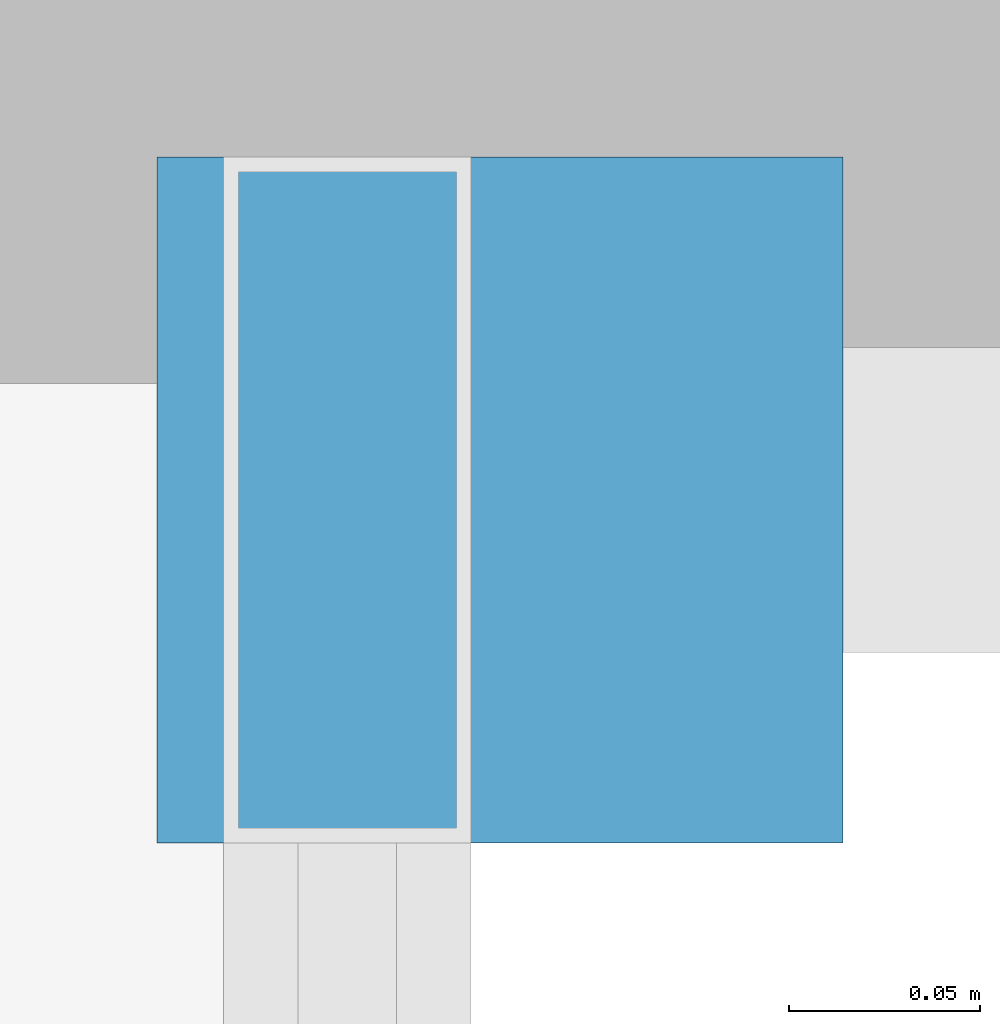
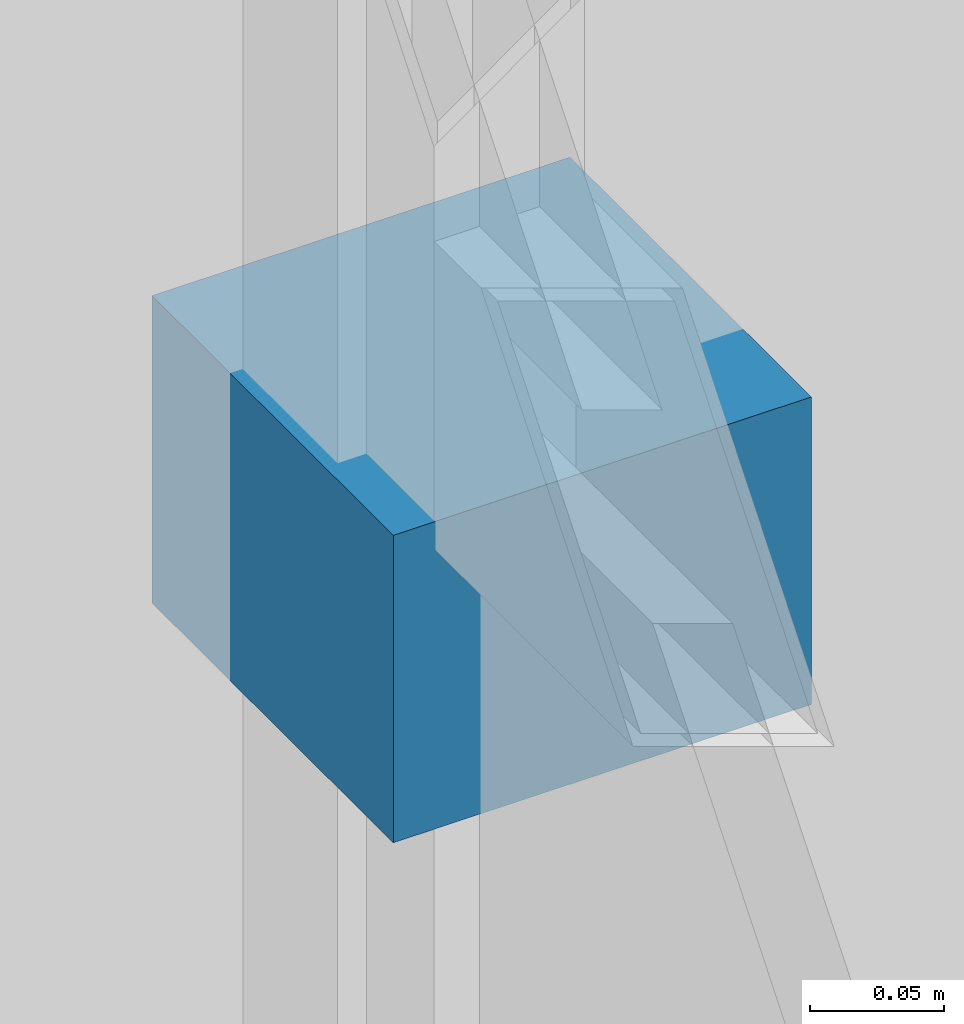
# One storey, part 49 of 62: 1 discrete accessory.
"""IFC4 building model written with IfcOpenShell, lengths in metres."""

import ifcopenshell
import ifcopenshell.guid

model = None  # the IFC model being written
_history = None  # IfcOwnerHistory: only IFC2X3 demands one
_inside = {}  # id of a spatial element -> (the spatial element, [elements in it])
_under = {}  # id of a project, library or spatial element -> (it, [spatial elements below it])
_declared = {}  # id of a project -> (the project, [libraries it declares])
_typed = {}  # id of a type object -> (the type object, [elements of that type])
_made_of = {}  # id of a material, layer set ... -> (it, [elements and type objects made of it])


def new_model(schema):
    """Start an empty IFC model of exactly this schema.

    Asked for "IFC4X3", IfcOpenShell would pick the latest addendum, in which some entities
    have other attributes; the version numbers below select the first issue.
    IFC2X3 requires an IfcOwnerHistory on every rooted entity: one is made here for all.
    """
    global model, _history
    if schema == "IFC4X3":
        model = ifcopenshell.file(schema_version=(4, 3, 0, 0))
    else:
        model = ifcopenshell.file(schema=schema)
    _inside.clear()
    _under.clear()
    _declared.clear()
    _typed.clear()
    _made_of.clear()
    _history = None
    if model.schema == "IFC2X3":
        org = make("IfcOrganization", Name="unknown")
        user = make(
            "IfcPersonAndOrganization",
            ThePerson=make("IfcPerson", FamilyName="unknown"),
            TheOrganization=org,
        )
        app = make(
            "IfcApplication",
            ApplicationDeveloper=org,
            Version="unknown",
            ApplicationFullName="unknown",
            ApplicationIdentifier="unknown",
        )
        _history = make(
            "IfcOwnerHistory",
            OwningUser=user,
            OwningApplication=app,
            ChangeAction="ADDED",
            CreationDate=0,
        )
    return model


def make(cls, **values):
    """One entity of the class cls with the attributes given. An attribute that is None is left unset."""
    return model.create_entity(
        cls, **{name: value for name, value in values.items() if value is not None}
    )


def rooted(cls, **values):
    """An entity with a GlobalId (a new one), such as an element, a storey or a relation."""
    return make(cls, GlobalId=ifcopenshell.guid.new(), OwnerHistory=_history, **values)


def si_unit(unit_type, name, prefix=None):
    """IfcSIUnit, for example si_unit("LENGTHUNIT", "METRE", prefix="MILLI")."""
    return make("IfcSIUnit", UnitType=unit_type, Prefix=prefix, Name=name)


def assignment(units):
    """IfcUnitAssignment: the units of a project."""
    return None if units is None else make("IfcUnitAssignment", Units=units)


def point(xyz):
    """IfcCartesianPoint."""
    return None if xyz is None else make("IfcCartesianPoint", Coordinates=xyz)


def direction(xyz):
    """IfcDirection."""
    return None if xyz is None else make("IfcDirection", DirectionRatios=xyz)


def frame(location, z_axis=None, x_axis=None):
    """IfcAxis2Placement3D, a coordinate frame: its origin and axes. An axis left out is left unset."""
    return make(
        "IfcAxis2Placement3D",
        Location=point(location),
        Axis=direction(z_axis),
        RefDirection=direction(x_axis),
    )


def frame_2d(location, x_axis=None):
    """IfcAxis2Placement2D, a coordinate frame in the plane: its origin and x axis."""
    return make(
        "IfcAxis2Placement2D", Location=point(location), RefDirection=direction(x_axis)
    )


def origin():
    """The frame at (0, 0, 0) with its axes left unset."""
    return frame((0.0, 0.0, 0.0))


def origin_2d():
    """The frame at (0, 0) in the plane with its x axis left unset."""
    return frame_2d((0.0, 0.0))


def place(relative_to, where):
    """IfcLocalPlacement: puts the frame where relative to a parent placement (None: the world)."""
    return make(
        "IfcLocalPlacement", PlacementRelTo=relative_to, RelativePlacement=where
    )


def context(
    kind, dimensions, precision=None, world=None, true_north=None, identifier=None
):
    """IfcGeometricRepresentationContext, for example the 3D "Model" context."""
    return make(
        "IfcGeometricRepresentationContext",
        ContextIdentifier=identifier,
        ContextType=kind,
        CoordinateSpaceDimension=dimensions,
        Precision=precision,
        WorldCoordinateSystem=world,
        TrueNorth=true_north,
    )


def subcontext(parent, identifier, kind, view, scale=None):
    """IfcGeometricRepresentationSubContext, for example "Body" below "Model"."""
    return make(
        "IfcGeometricRepresentationSubContext",
        ContextIdentifier=identifier,
        ContextType=kind,
        ParentContext=parent,
        TargetScale=scale,
        TargetView=view,
    )


def project(units=None, contexts=None):
    """IfcProject with its units and contexts."""
    return rooted(
        "IfcProject",
        Name="project",
        RepresentationContexts=contexts,
        UnitsInContext=assignment(units),
    )


def spatial(cls, under=None, at=None, **own):
    """A site, building, storey or space (cls), placed at a placement, below another one or the project."""
    s = rooted(cls, ObjectPlacement=at, **own)
    if under is not None:
        _under.setdefault(under.id(), (under, []))[1].append(s)
    return s


def profile(cls, at=None, kind="AREA", **sizes):
    """A parametric profile (cls). Its sizes go by their IFC names, for example OverallWidth=200.0."""
    return make(cls, ProfileType=kind, Position=at, **sizes)


def rectangle(**sizes):
    """IfcRectangleProfileDef."""
    return profile("IfcRectangleProfileDef", **sizes)


def extrude(swept, where, along, depth):
    """IfcExtrudedAreaSolid: the profile swept, set in the frame where, extruded along a direction by depth."""
    return make(
        "IfcExtrudedAreaSolid",
        SweptArea=swept,
        Position=where,
        ExtrudedDirection=direction(along),
        Depth=depth,
    )


def shape(context_of_items, identifier, shape_type, items):
    """IfcShapeRepresentation: the items that make up one representation, for example the "Body"."""
    return make(
        "IfcShapeRepresentation",
        ContextOfItems=context_of_items,
        RepresentationIdentifier=identifier,
        RepresentationType=shape_type,
        Items=items,
    )


def material(Name=None, Category=None):
    """IfcMaterial."""
    return make("IfcMaterial", Name=Name, Category=Category)


def layer(
    of_material, thickness, ventilated=None, Name=None, Category=None, Priority=None
):
    """IfcMaterialLayer: one layer of a wall or slab, of a material (None: an air gap)."""
    return make(
        "IfcMaterialLayer",
        Material=of_material,
        LayerThickness=thickness,
        IsVentilated=ventilated,
        Name=Name,
        Category=Category,
        Priority=Priority,
    )


def layer_set(layers, Name=None):
    """IfcMaterialLayerSet."""
    return make("IfcMaterialLayerSet", MaterialLayers=layers, LayerSetName=Name)


def made_of(thing, what):
    """Note that an element or type object is made of a material, layer set ...; save() writes the relation."""
    if what is not None:
        _made_of.setdefault(what.id(), (what, []))[1].append(thing)
    return thing


def type_object(cls, material=None, **own):
    """A type object (cls), such as IfcWallType, which elements share."""
    return made_of(rooted(cls, **own), material)


def element(
    cls,
    number,
    at=None,
    inside=None,
    cuts=None,
    type_object=None,
    material=None,
    context=None,
    identifier="Body",
    shape_type=None,
    held_by="IfcProductDefinitionShape",
    body=None,
    shapes=None,
    **own,
):
    """One element of the class cls, such as IfcWall. Its Tag is "e" and its number.

    at: its placement. inside: the storey or other place that contains it. cuts: it is an
    opening in that element (IfcRelVoidsElement). A single representation is given by context,
    identifier, shape_type and body (its items); several are given by shapes. held_by: the class
    of the entity that holds the representations. save() writes the other relations.
    """
    e = rooted(cls, Tag="e%d" % number, ObjectPlacement=at, **own)
    if body is not None:
        shapes = [shape(context, identifier, shape_type, body)]
    if shapes is not None:
        e.Representation = make(held_by, Representations=shapes)
    if inside is not None:
        _inside.setdefault(inside.id(), (inside, []))[1].append(e)
    if cuts is not None:
        rooted(
            "IfcRelVoidsElement", RelatingBuildingElement=cuts, RelatedOpeningElement=e
        )
    if type_object is not None:
        _typed.setdefault(type_object.id(), (type_object, []))[1].append(e)
    return made_of(e, material)


def aggregate(whole, parts):
    """IfcRelAggregates: a whole, such as a stair, and the parts it consists of."""
    return rooted("IfcRelAggregates", RelatingObject=whole, RelatedObjects=parts)


def save(model, path):
    """Write the relations noted so far, then the file.

    IfcRelAggregates (storeys below a building ...), IfcRelContainedInSpatialStructure (elements
    in a storey), IfcRelDefinesByType, IfcRelAssociatesMaterial and IfcRelDeclares: one each for
    every whole, place, type object, material and project.
    """
    for whole, parts in _under.values():
        aggregate(whole, parts)
    for where, things in _inside.values():
        rooted(
            "IfcRelContainedInSpatialStructure",
            RelatedElements=things,
            RelatingStructure=where,
        )
    for kind, things in _typed.values():
        rooted("IfcRelDefinesByType", RelatedObjects=things, RelatingType=kind)
    for what, things in _made_of.values():
        rooted("IfcRelAssociatesMaterial", RelatedObjects=things, RelatingMaterial=what)
    for by, libraries in _declared.values():
        rooted("IfcRelDeclares", RelatingContext=by, RelatedDefinitions=libraries)
    model.write(path)


model = new_model("IFC4")

# Units and contexts
model_context = context("Model", 3, precision=1e-05, world=origin(), true_north=direction((0.0, 1.0)))
body_context = subcontext(model_context, "Body", "Model", "MODEL_VIEW")
ifc_project = project(units=[si_unit("LENGTHUNIT", "METRE"), si_unit("AREAUNIT", "SQUARE_METRE"), si_unit("VOLUMEUNIT", "CUBIC_METRE"), si_unit("PLANEANGLEUNIT", "RADIAN"), si_unit("MASSUNIT", "GRAM", prefix="KILO")], contexts=[model_context])

# Site, building, storey
site_placement = place(None, origin())
site = spatial("IfcSite", under=ifc_project, at=site_placement, CompositionType="ELEMENT")
building_placement = place(site_placement, origin())
building = spatial("IfcBuilding", under=site, at=building_placement, Name="Vaelkrest Opera House", CompositionType="ELEMENT")
storey_placement = place(building_placement, frame((0.0, 0.0, 19.800048828125)))
storey = spatial("IfcBuildingStorey", under=building, at=storey_placement, Name="L04", CompositionType="ELEMENT", Elevation=19.800048828125)

# Discrete accessory
ifc_material = material(Name="Steel A572 Gr50", Category="steel")
ifc_layer = layer(ifc_material, 0.139892578125)
ifc_layer_set = layer_set([ifc_layer], Name="Steel A572 Gr50")
discrete_accessory_type = type_object("IfcDiscreteAccessoryType", Name="BRK01", PredefinedType="BRACKET", material=ifc_layer_set)
discrete_accessory_placement = place(storey_placement, frame((30.0400390625, -20.130615234375, 1.9521484375), z_axis=(0.0, 0.0, 1.0), x_axis=(1.0, 0.0, 0.0)))
element("IfcDiscreteAccessory", 1, at=discrete_accessory_placement, inside=storey, type_object=discrete_accessory_type, Name="Shading fin bracket 08", PredefinedType="BRACKET", context=body_context, shape_type="SweptSolid", body=[
    extrude(rectangle(XDim=0.179931640625, YDim=0.179931640625, at=origin_2d()), origin(), (0.0, 0.0, 1.0), 0.139892578125),
])

save(model, "model.ifc")
